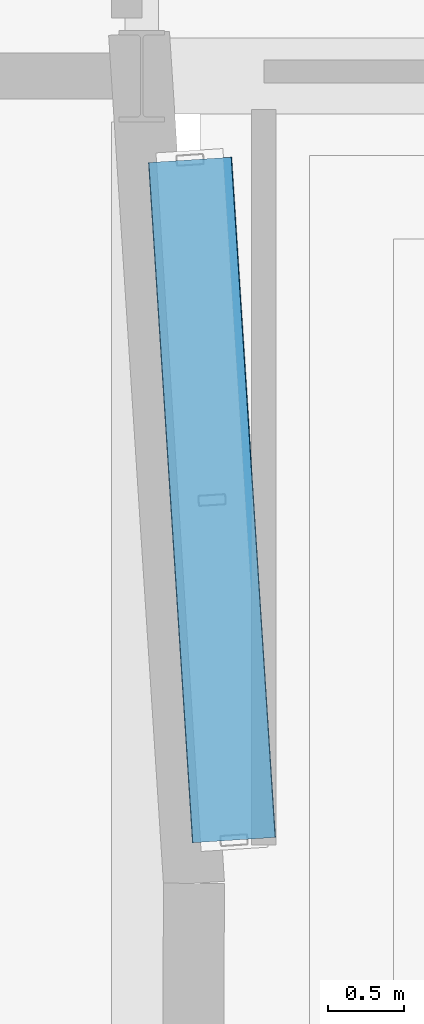
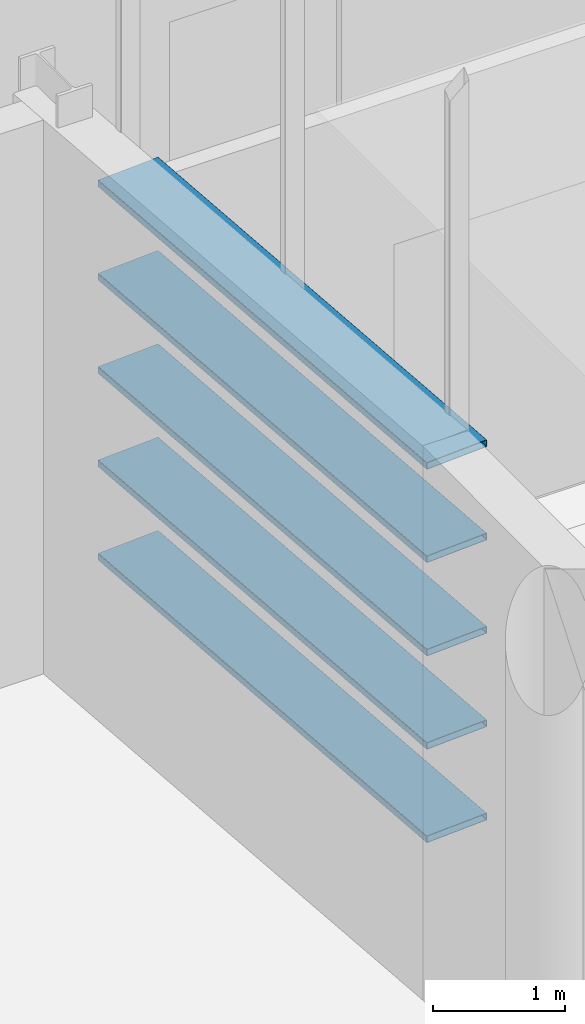
# One storey, part 130 of 372: 5 members.
"""IFC4 building model written with IfcOpenShell, lengths in metres."""

import ifcopenshell
import ifcopenshell.guid

model = None  # the IFC model being written
_history = None  # IfcOwnerHistory: only IFC2X3 demands one
_inside = {}  # id of a spatial element -> (the spatial element, [elements in it])
_under = {}  # id of a project, library or spatial element -> (it, [spatial elements below it])
_declared = {}  # id of a project -> (the project, [libraries it declares])
_typed = {}  # id of a type object -> (the type object, [elements of that type])
_made_of = {}  # id of a material, layer set ... -> (it, [elements and type objects made of it])


def new_model(schema):
    """Start an empty IFC model of exactly this schema.

    Asked for "IFC4X3", IfcOpenShell would pick the latest addendum, in which some entities
    have other attributes; the version numbers below select the first issue.
    IFC2X3 requires an IfcOwnerHistory on every rooted entity: one is made here for all.
    """
    global model, _history
    if schema == "IFC4X3":
        model = ifcopenshell.file(schema_version=(4, 3, 0, 0))
    else:
        model = ifcopenshell.file(schema=schema)
    _inside.clear()
    _under.clear()
    _declared.clear()
    _typed.clear()
    _made_of.clear()
    _history = None
    if model.schema == "IFC2X3":
        org = make("IfcOrganization", Name="unknown")
        user = make(
            "IfcPersonAndOrganization",
            ThePerson=make("IfcPerson", FamilyName="unknown"),
            TheOrganization=org,
        )
        app = make(
            "IfcApplication",
            ApplicationDeveloper=org,
            Version="unknown",
            ApplicationFullName="unknown",
            ApplicationIdentifier="unknown",
        )
        _history = make(
            "IfcOwnerHistory",
            OwningUser=user,
            OwningApplication=app,
            ChangeAction="ADDED",
            CreationDate=0,
        )
    return model


def make(cls, **values):
    """One entity of the class cls with the attributes given. An attribute that is None is left unset."""
    return model.create_entity(
        cls, **{name: value for name, value in values.items() if value is not None}
    )


def rooted(cls, **values):
    """An entity with a GlobalId (a new one), such as an element, a storey or a relation."""
    return make(cls, GlobalId=ifcopenshell.guid.new(), OwnerHistory=_history, **values)


def si_unit(unit_type, name, prefix=None):
    """IfcSIUnit, for example si_unit("LENGTHUNIT", "METRE", prefix="MILLI")."""
    return make("IfcSIUnit", UnitType=unit_type, Prefix=prefix, Name=name)


def assignment(units):
    """IfcUnitAssignment: the units of a project."""
    return None if units is None else make("IfcUnitAssignment", Units=units)


def point(xyz):
    """IfcCartesianPoint."""
    return None if xyz is None else make("IfcCartesianPoint", Coordinates=xyz)


def direction(xyz):
    """IfcDirection."""
    return None if xyz is None else make("IfcDirection", DirectionRatios=xyz)


def frame(location, z_axis=None, x_axis=None):
    """IfcAxis2Placement3D, a coordinate frame: its origin and axes. An axis left out is left unset."""
    return make(
        "IfcAxis2Placement3D",
        Location=point(location),
        Axis=direction(z_axis),
        RefDirection=direction(x_axis),
    )


def frame_2d(location, x_axis=None):
    """IfcAxis2Placement2D, a coordinate frame in the plane: its origin and x axis."""
    return make(
        "IfcAxis2Placement2D", Location=point(location), RefDirection=direction(x_axis)
    )


def origin():
    """The frame at (0, 0, 0) with its axes left unset."""
    return frame((0.0, 0.0, 0.0))


def origin_2d():
    """The frame at (0, 0) in the plane with its x axis left unset."""
    return frame_2d((0.0, 0.0))


def place(relative_to, where):
    """IfcLocalPlacement: puts the frame where relative to a parent placement (None: the world)."""
    return make(
        "IfcLocalPlacement", PlacementRelTo=relative_to, RelativePlacement=where
    )


def context(
    kind, dimensions, precision=None, world=None, true_north=None, identifier=None
):
    """IfcGeometricRepresentationContext, for example the 3D "Model" context."""
    return make(
        "IfcGeometricRepresentationContext",
        ContextIdentifier=identifier,
        ContextType=kind,
        CoordinateSpaceDimension=dimensions,
        Precision=precision,
        WorldCoordinateSystem=world,
        TrueNorth=true_north,
    )


def subcontext(parent, identifier, kind, view, scale=None):
    """IfcGeometricRepresentationSubContext, for example "Body" below "Model"."""
    return make(
        "IfcGeometricRepresentationSubContext",
        ContextIdentifier=identifier,
        ContextType=kind,
        ParentContext=parent,
        TargetScale=scale,
        TargetView=view,
    )


def project(units=None, contexts=None):
    """IfcProject with its units and contexts."""
    return rooted(
        "IfcProject",
        Name="project",
        RepresentationContexts=contexts,
        UnitsInContext=assignment(units),
    )


def spatial(cls, under=None, at=None, **own):
    """A site, building, storey or space (cls), placed at a placement, below another one or the project."""
    s = rooted(cls, ObjectPlacement=at, **own)
    if under is not None:
        _under.setdefault(under.id(), (under, []))[1].append(s)
    return s


def profile(cls, at=None, kind="AREA", **sizes):
    """A parametric profile (cls). Its sizes go by their IFC names, for example OverallWidth=200.0."""
    return make(cls, ProfileType=kind, Position=at, **sizes)


def hollow_rectangle(**sizes):
    """IfcRectangleHollowProfileDef."""
    return profile("IfcRectangleHollowProfileDef", **sizes)


def extrude(swept, where, along, depth):
    """IfcExtrudedAreaSolid: the profile swept, set in the frame where, extruded along a direction by depth."""
    return make(
        "IfcExtrudedAreaSolid",
        SweptArea=swept,
        Position=where,
        ExtrudedDirection=direction(along),
        Depth=depth,
    )


def shape(context_of_items, identifier, shape_type, items):
    """IfcShapeRepresentation: the items that make up one representation, for example the "Body"."""
    return make(
        "IfcShapeRepresentation",
        ContextOfItems=context_of_items,
        RepresentationIdentifier=identifier,
        RepresentationType=shape_type,
        Items=items,
    )


def material(Name=None, Category=None):
    """IfcMaterial."""
    return make("IfcMaterial", Name=Name, Category=Category)


def material_profile(
    of_material, cross_section, Name=None, Category=None, Priority=None
):
    """IfcMaterialProfile: a cross section and its material."""
    return make(
        "IfcMaterialProfile",
        Name=Name,
        Material=of_material,
        Profile=cross_section,
        Priority=Priority,
        Category=Category,
    )


def profile_set(profiles, Name=None, composite=None):
    """IfcMaterialProfileSet."""
    return make(
        "IfcMaterialProfileSet",
        Name=Name,
        MaterialProfiles=profiles,
        CompositeProfile=composite,
    )


def made_of(thing, what):
    """Note that an element or type object is made of a material, layer set ...; save() writes the relation."""
    if what is not None:
        _made_of.setdefault(what.id(), (what, []))[1].append(thing)
    return thing


def type_object(cls, material=None, **own):
    """A type object (cls), such as IfcWallType, which elements share."""
    return made_of(rooted(cls, **own), material)


def element(
    cls,
    number,
    at=None,
    inside=None,
    cuts=None,
    type_object=None,
    material=None,
    context=None,
    identifier="Body",
    shape_type=None,
    held_by="IfcProductDefinitionShape",
    body=None,
    shapes=None,
    **own,
):
    """One element of the class cls, such as IfcWall. Its Tag is "e" and its number.

    at: its placement. inside: the storey or other place that contains it. cuts: it is an
    opening in that element (IfcRelVoidsElement). A single representation is given by context,
    identifier, shape_type and body (its items); several are given by shapes. held_by: the class
    of the entity that holds the representations. save() writes the other relations.
    """
    e = rooted(cls, Tag="e%d" % number, ObjectPlacement=at, **own)
    if body is not None:
        shapes = [shape(context, identifier, shape_type, body)]
    if shapes is not None:
        e.Representation = make(held_by, Representations=shapes)
    if inside is not None:
        _inside.setdefault(inside.id(), (inside, []))[1].append(e)
    if cuts is not None:
        rooted(
            "IfcRelVoidsElement", RelatingBuildingElement=cuts, RelatedOpeningElement=e
        )
    if type_object is not None:
        _typed.setdefault(type_object.id(), (type_object, []))[1].append(e)
    return made_of(e, material)


def aggregate(whole, parts):
    """IfcRelAggregates: a whole, such as a stair, and the parts it consists of."""
    return rooted("IfcRelAggregates", RelatingObject=whole, RelatedObjects=parts)


def save(model, path):
    """Write the relations noted so far, then the file.

    IfcRelAggregates (storeys below a building ...), IfcRelContainedInSpatialStructure (elements
    in a storey), IfcRelDefinesByType, IfcRelAssociatesMaterial and IfcRelDeclares: one each for
    every whole, place, type object, material and project.
    """
    for whole, parts in _under.values():
        aggregate(whole, parts)
    for where, things in _inside.values():
        rooted(
            "IfcRelContainedInSpatialStructure",
            RelatedElements=things,
            RelatingStructure=where,
        )
    for kind, things in _typed.values():
        rooted("IfcRelDefinesByType", RelatedObjects=things, RelatingType=kind)
    for what, things in _made_of.values():
        rooted("IfcRelAssociatesMaterial", RelatedObjects=things, RelatingMaterial=what)
    for by, libraries in _declared.values():
        rooted("IfcRelDeclares", RelatingContext=by, RelatedDefinitions=libraries)
    model.write(path)


model = new_model("IFC4")

# Units and contexts
model_context = context("Model", 3, precision=1e-05, world=origin(), true_north=direction((0.0, 1.0)))
body_context = subcontext(model_context, "Body", "Model", "MODEL_VIEW")
ifc_project = project(units=[si_unit("LENGTHUNIT", "METRE"), si_unit("AREAUNIT", "SQUARE_METRE"), si_unit("VOLUMEUNIT", "CUBIC_METRE"), si_unit("PLANEANGLEUNIT", "RADIAN"), si_unit("MASSUNIT", "GRAM", prefix="KILO")], contexts=[model_context])

# Site, building, storey
site_placement = place(None, origin())
site = spatial("IfcSite", under=ifc_project, at=site_placement, CompositionType="ELEMENT")
building_placement = place(site_placement, origin())
building = spatial("IfcBuilding", under=site, at=building_placement, Name="Kaelora Sail Theatre", CompositionType="ELEMENT")
storey_placement = place(building_placement, origin())
storey = spatial("IfcBuildingStorey", under=building, at=storey_placement, Name="L00", CompositionType="ELEMENT", Elevation=0.0)

# Members
ifc_material = material(Name="Anodised aluminium 6063-T6", Category="aluminium")
ifc_material_profile = material_profile(ifc_material, hollow_rectangle(XDim=0.550048828125, YDim=0.06494140625, WallThickness=0.00390625, InnerFilletRadius=0.00390625, OuterFilletRadius=0.008056640625, at=origin_2d()), Name="LOUVRE 550x65x4")
ifc_profile_set = profile_set([ifc_material_profile], Name="Anodised aluminium 6063-T6")
member_type = type_object("IfcMemberType", Name="ARC-MEM-LVR-300", PredefinedType="USERDEFINED", material=ifc_profile_set)
for number, where, z_axis, x_axis, name in (
    (1, (58.51611328125, 60.47021484375, 1.25), (0.064492796424, -0.997918172602, 0.0), (0.997918172602, 0.064492796424, 0.0), "Main Theatre Sail Drum horizontal solar louvre C1-01"),
    (2, (58.51611328125, 60.47021484375, 2.110107421875), (0.064492796424, -0.997918172602, 0.0), (0.997918172602, 0.064492796424, 0.0), "Main Theatre Sail Drum horizontal solar louvre C1-02"),
    (3, (58.51611328125, 60.47021484375, 2.969970703125), (0.064492796424, -0.997918172602, 0.0), (0.997918172602, 0.064492796424, 0.0), "Main Theatre Sail Drum horizontal solar louvre C1-03"),
    (4, (58.51611328125, 60.47021484375, 3.830078125), (0.064492796424, -0.997918172602, 0.0), (0.997918172602, 0.064492796424, 0.0), "Main Theatre Sail Drum horizontal solar louvre C1-04"),
    (5, (58.51611328125, 60.47021484375, 4.68994140625), (0.064492796424, -0.997918172602, 0.0), (0.997918172602, 0.064492796424, 0.0), "Main Theatre Sail Drum horizontal solar louvre C1-05"),
):
    element("IfcMember", number, at=place(storey_placement, frame(where, z_axis=z_axis, x_axis=x_axis)), inside=storey, type_object=member_type, Name=name, ObjectType="LOUVRE", PredefinedType="USERDEFINED", context=body_context, shape_type="SweptSolid", body=[
        extrude(hollow_rectangle(XDim=0.550048828125, YDim=0.06494140625, WallThickness=0.00390625, InnerFilletRadius=0.00390625, OuterFilletRadius=0.008056640625, at=origin_2d()), origin(), (0.0, 0.0, 1.0), 4.470703125),
    ])

save(model, "model.ifc")
